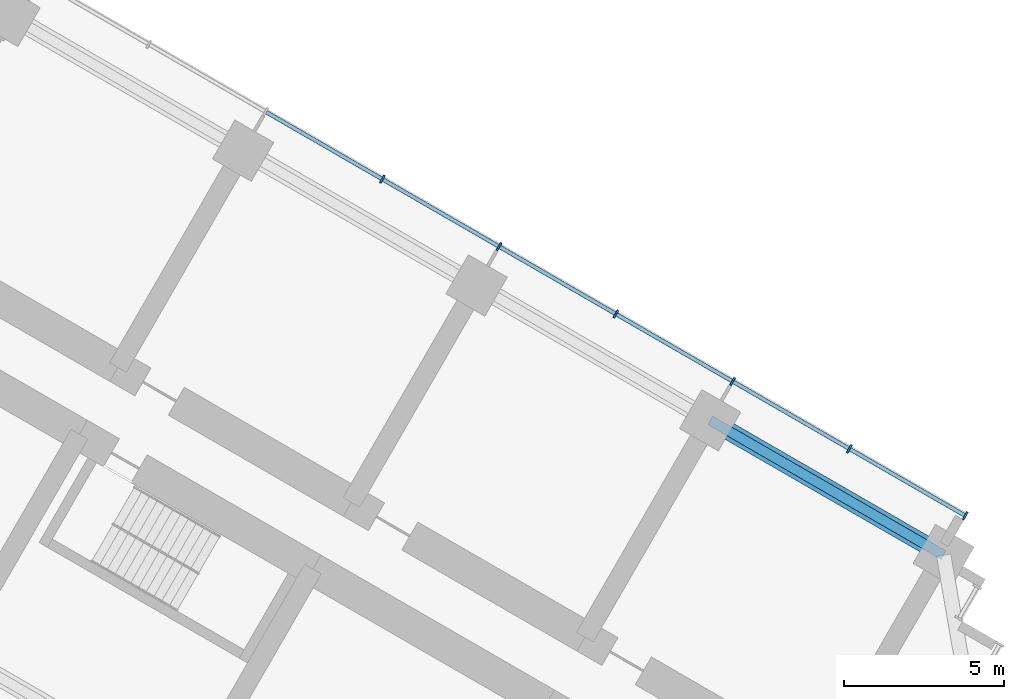
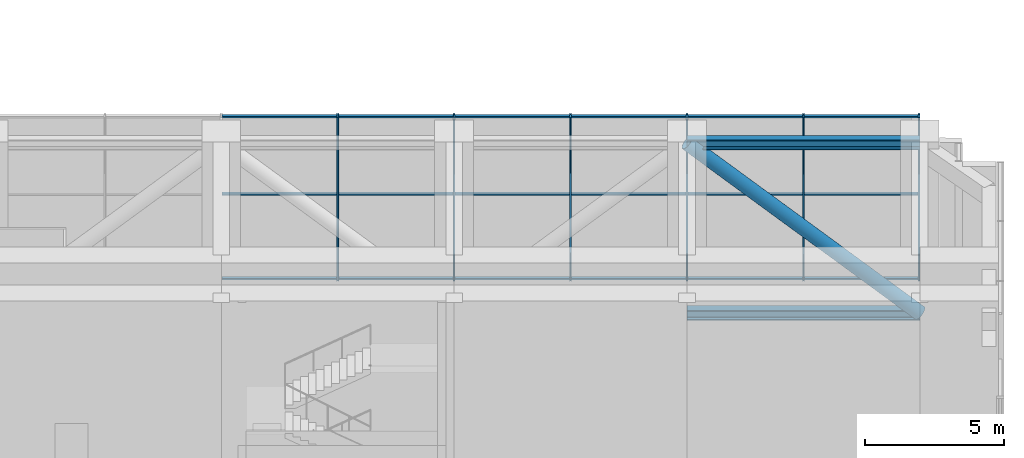
# One storey, part 8 of 19: 27 members, 1 element without a shape of its own.
"""IFC4 building model written with IfcOpenShell, lengths in metres."""

from ifc_helpers import new_model, si_unit, direction, frame, origin, origin_2d, place, context, subcontext, project, spatial, rectangle, hollow_circle, i_section, extrude, material, material_profile, profile_set, type_object, element, aggregate, save


model = new_model("IFC4")

# Units and contexts
model_context = context("Model", 3, precision=1e-05, world=origin(), true_north=direction((0.0, 1.0)))
body_context = subcontext(model_context, "Body", "Model", "MODEL_VIEW")
ifc_project = project(units=[si_unit("LENGTHUNIT", "METRE"), si_unit("AREAUNIT", "SQUARE_METRE"), si_unit("VOLUMEUNIT", "CUBIC_METRE"), si_unit("PLANEANGLEUNIT", "RADIAN"), si_unit("MASSUNIT", "GRAM", prefix="KILO")], contexts=[model_context])

# Site, building, storey
site_placement = place(None, origin())
site = spatial("IfcSite", under=ifc_project, at=site_placement, CompositionType="ELEMENT")
building_placement = place(site_placement, origin())
building = spatial("IfcBuilding", under=site, at=building_placement, Name="Impinga Residences", CompositionType="ELEMENT")
storey_placement = place(building_placement, frame((0.0, 0.0, 93.5)))
storey = spatial("IfcBuildingStorey", under=building, at=storey_placement, Name="L23", CompositionType="ELEMENT", Elevation=93.5)

# Members
ifc_material_1 = material(Name="Steel S355", Category="steel")
ifc_material_profile_1 = material_profile(ifc_material_1, i_section(OverallWidth=0.306884765625, OverallDepth=0.431884765625, WebThickness=0.02099609375, FlangeThickness=0.0400390625, FilletRadius=0.027099609375, at=origin_2d()), Name="HE 400 M")
ifc_profile_set_1 = profile_set([ifc_material_profile_1], Name="Steel S355")
member_type_1 = type_object("IfcMemberType", Name="BT1 HE 400 M belt truss chord", PredefinedType="CHORD", material=ifc_profile_set_1)
for number, where, z_axis, x_axis, name in (
    (1, (36.223876953125, -10.521484375, -0.51611328125), (0.86602925447, -0.499993330357, 0.0), (0.499993330357, 0.86602925447, 0.0), "Belt truss chord BT1 EA E4-E5 L23"),
    (2, (36.223876953125, -10.521484375, 6.98388671875), (0.86602925447, -0.499993330357, 0.0), (0.499993330357, 0.86602925447, 0.0), "Belt truss chord BT1 EA E4-E5 L23"),
):
    element("IfcMember", number, at=place(storey_placement, frame(where, z_axis=z_axis, x_axis=x_axis)), inside=storey, type_object=member_type_1, Name=name, PredefinedType="CHORD", context=body_context, shape_type="SweptSolid", body=[
        extrude(i_section(OverallWidth=0.306884765625, OverallDepth=0.431884765625, WebThickness=0.02099609375, FlangeThickness=0.0400390625, FilletRadius=0.027099609375, at=origin_2d()), origin(), (0.0, 0.0, 1.0), 8.39990234375),
    ])
ifc_material_2 = material(Name="Steel S355J2H", Category="steel")
ifc_material_profile_2 = material_profile(ifc_material_2, hollow_circle(Radius=0.279541015625, WallThickness=0.02001953125, at=origin_2d()), Name="CHS 559x20")
ifc_profile_set_2 = profile_set([ifc_material_profile_2], Name="Steel S355J2H")
member_type_2 = type_object("IfcMemberType", Name="BT2 CHS 559x20 belt truss diagonal at L23", PredefinedType="BRACE", material=ifc_profile_set_2)
member_1_placement = place(storey_placement, frame((36.223876953125, -10.521484375, 6.98388671875), z_axis=(0.646004328005, -0.372964139164, -0.666015134285), x_axis=(0.499993330357, 0.86602925447, 0.0)))
element("IfcMember", 3, at=member_1_placement, inside=storey, type_object=member_type_2, Name="Belt truss diagonal BT2 EA E4-E5 L23", PredefinedType="BRACE", context=body_context, shape_type="SweptSolid", body=[
    extrude(hollow_circle(Radius=0.279541015625, WallThickness=0.02001953125, at=origin_2d()), origin(), (0.0, 0.0, 1.0), 11.260986328125),
])

# Curtain wall, members
ifc_material_3 = material(Name="Aluminium stick curtain wall", Category="aluminium")
curtain_wall_type = type_object("IfcCurtainWallType", Name="CW4 plant floor louvred curtain wall", PredefinedType="USERDEFINED", material=ifc_material_3)
curtain_wall_placement = place(storey_placement, origin())
curtain_wall = element("IfcCurtainWall", 4, at=curtain_wall_placement, inside=storey, type_object=curtain_wall_type, Name="Curtain wall CW4 L23", ObjectType="STICK CURTAIN WALL", PredefinedType="USERDEFINED")
ifc_material_4 = material(Name="Aluminium mullion", Category="aluminium")
ifc_material_profile_3 = material_profile(ifc_material_4, rectangle(XDim=0.06005859375, YDim=0.27490234375, at=origin_2d()), Name="60x275 mullion")
ifc_profile_set_3 = profile_set([ifc_material_profile_3], Name="Aluminium mullion")
member_type_3 = type_object("IfcMemberType", Name="CW4-M mullion 60x275", PredefinedType="MULLION", material=ifc_profile_set_3)
member_2_placement = place(storey_placement, frame((26.011962890625, -3.009033203125, 0.0), z_axis=(0.0, 0.0, 1.0), x_axis=(0.866025407005, -0.499999994423, 0.0)))
member_2 = element("IfcMember", 5, at=member_2_placement, type_object=member_type_3, Name="CW4 mullion 4", PredefinedType="MULLION", context=body_context, shape_type="SweptSolid", body=[
    extrude(rectangle(XDim=0.06005859375, YDim=0.27490234375, at=origin_2d()), origin(), (0.0, 0.0, 1.0), 7.199951171875),
])
member_3_placement = place(storey_placement, frame((29.649169921875, -5.109130859375, 0.0), z_axis=(0.0, 0.0, 1.0), x_axis=(0.866025407005, -0.499999994423, 0.0)))
member_3 = element("IfcMember", 6, at=member_3_placement, type_object=member_type_3, Name="CW4 mullion 5", PredefinedType="MULLION", context=body_context, shape_type="SweptSolid", body=[
    extrude(rectangle(XDim=0.06005859375, YDim=0.27490234375, at=origin_2d()), origin(), (0.0, 0.0, 1.0), 7.199951171875),
])
member_4_placement = place(storey_placement, frame((33.28662109375, -7.208984375, 0.0), z_axis=(0.0, 0.0, 1.0), x_axis=(0.866025407005, -0.499999994423, 0.0)))
member_4 = element("IfcMember", 7, at=member_4_placement, type_object=member_type_3, Name="CW4 mullion 6", PredefinedType="MULLION", context=body_context, shape_type="SweptSolid", body=[
    extrude(rectangle(XDim=0.06005859375, YDim=0.27490234375, at=origin_2d()), origin(), (0.0, 0.0, 1.0), 7.199951171875),
])
member_5_placement = place(storey_placement, frame((36.923828125, -9.30908203125, 0.0), z_axis=(0.0, 0.0, 1.0), x_axis=(0.866025407005, -0.499999994423, 0.0)))
member_5 = element("IfcMember", 8, at=member_5_placement, type_object=member_type_3, Name="CW4 mullion 7", PredefinedType="MULLION", context=body_context, shape_type="SweptSolid", body=[
    extrude(rectangle(XDim=0.06005859375, YDim=0.27490234375, at=origin_2d()), origin(), (0.0, 0.0, 1.0), 7.199951171875),
])
member_6_placement = place(storey_placement, frame((40.56103515625, -11.4091796875, 0.0), z_axis=(0.0, 0.0, 1.0), x_axis=(0.866025407005, -0.499999994423, 0.0)))
member_6 = element("IfcMember", 9, at=member_6_placement, type_object=member_type_3, Name="CW4 mullion 8", PredefinedType="MULLION", context=body_context, shape_type="SweptSolid", body=[
    extrude(rectangle(XDim=0.06005859375, YDim=0.27490234375, at=origin_2d()), origin(), (0.0, 0.0, 1.0), 7.199951171875),
])
member_7_placement = place(storey_placement, frame((44.17236328125, -13.494140625, 0.0), z_axis=(0.0, 0.0, 1.0), x_axis=(0.866025407005, -0.499999994423, 0.0)))
member_7 = element("IfcMember", 10, at=member_7_placement, type_object=member_type_3, Name="CW4 mullion 9", PredefinedType="MULLION", context=body_context, shape_type="SweptSolid", body=[
    extrude(rectangle(XDim=0.06005859375, YDim=0.27490234375, at=origin_2d()), origin(), (0.0, 0.0, 1.0), 7.199951171875),
])
ifc_material_5 = material(Name="Aluminium transom", Category="aluminium")
ifc_material_profile_4 = material_profile(ifc_material_5, rectangle(XDim=0.06005859375, YDim=0.1201171875, at=origin_2d()), Name="60x120 transom")
ifc_profile_set_4 = profile_set([ifc_material_profile_4], Name="Aluminium transom")
member_type_4 = type_object("IfcMemberType", Name="CW4-T transom 60x120", PredefinedType="USERDEFINED", material=ifc_profile_set_4)
member_8_placement = place(storey_placement, frame((22.400634765625, -0.924072265625, 0.030029296875), z_axis=(0.866009793405, -0.500027036996, 0.0), x_axis=(0.0, 0.0, 1.0)))
member_8 = element("IfcMember", 11, at=member_8_placement, type_object=member_type_4, Name="CW4 transom 3.1", ObjectType="TRANSOM", PredefinedType="USERDEFINED", context=body_context, shape_type="SweptSolid", body=[
    extrude(rectangle(XDim=0.06005859375, YDim=0.1201171875, at=origin_2d()), origin(), (0.0, 0.0, 1.0), 4.139892578125),
])
member_9_placement = place(storey_placement, frame((22.400634765625, -0.924072265625, 3.75), z_axis=(0.866009793405, -0.500027036996, 0.0), x_axis=(0.0, 0.0, 1.0)))
member_9 = element("IfcMember", 12, at=member_9_placement, type_object=member_type_4, Name="CW4 transom 3.2", ObjectType="TRANSOM", PredefinedType="USERDEFINED", context=body_context, shape_type="SweptSolid", body=[
    extrude(rectangle(XDim=0.06005859375, YDim=0.1201171875, at=origin_2d()), origin(), (0.0, 0.0, 1.0), 4.139892578125),
])
member_10_placement = place(storey_placement, frame((22.400634765625, -0.924072265625, 7.169921875), z_axis=(0.866009793405, -0.500027036996, 0.0), x_axis=(0.0, 0.0, 1.0)))
member_10 = element("IfcMember", 13, at=member_10_placement, type_object=member_type_4, Name="CW4 transom 3.3", ObjectType="TRANSOM", PredefinedType="USERDEFINED", context=body_context, shape_type="SweptSolid", body=[
    extrude(rectangle(XDim=0.06005859375, YDim=0.1201171875, at=origin_2d()), origin(), (0.0, 0.0, 1.0), 4.139892578125),
])
member_11_placement = place(storey_placement, frame((26.037841796875, -3.024169921875, 0.030029296875), z_axis=(0.866050071143, -0.499957272447, 0.0), x_axis=(0.0, 0.0, 1.0)))
member_11 = element("IfcMember", 14, at=member_11_placement, type_object=member_type_4, Name="CW4 transom 4.1", ObjectType="TRANSOM", PredefinedType="USERDEFINED", context=body_context, shape_type="SweptSolid", body=[
    extrude(rectangle(XDim=0.06005859375, YDim=0.1201171875, at=origin_2d()), origin(), (0.0, 0.0, 1.0), 4.139892578125),
])
member_12_placement = place(storey_placement, frame((26.037841796875, -3.024169921875, 3.75), z_axis=(0.866050071143, -0.499957272447, 0.0), x_axis=(0.0, 0.0, 1.0)))
member_12 = element("IfcMember", 15, at=member_12_placement, type_object=member_type_4, Name="CW4 transom 4.2", ObjectType="TRANSOM", PredefinedType="USERDEFINED", context=body_context, shape_type="SweptSolid", body=[
    extrude(rectangle(XDim=0.06005859375, YDim=0.1201171875, at=origin_2d()), origin(), (0.0, 0.0, 1.0), 4.139892578125),
])
member_13_placement = place(storey_placement, frame((26.037841796875, -3.024169921875, 7.169921875), z_axis=(0.866050071143, -0.499957272447, 0.0), x_axis=(0.0, 0.0, 1.0)))
member_13 = element("IfcMember", 16, at=member_13_placement, type_object=member_type_4, Name="CW4 transom 4.3", ObjectType="TRANSOM", PredefinedType="USERDEFINED", context=body_context, shape_type="SweptSolid", body=[
    extrude(rectangle(XDim=0.06005859375, YDim=0.1201171875, at=origin_2d()), origin(), (0.0, 0.0, 1.0), 4.139892578125),
])
member_14_placement = place(storey_placement, frame((29.67529296875, -5.1240234375, 0.030029296875), z_axis=(0.866009793405, -0.500027036996, 0.0), x_axis=(0.0, 0.0, 1.0)))
member_14 = element("IfcMember", 17, at=member_14_placement, type_object=member_type_4, Name="CW4 transom 5.1", ObjectType="TRANSOM", PredefinedType="USERDEFINED", context=body_context, shape_type="SweptSolid", body=[
    extrude(rectangle(XDim=0.06005859375, YDim=0.1201171875, at=origin_2d()), origin(), (0.0, 0.0, 1.0), 4.139892578125),
])
member_15_placement = place(storey_placement, frame((29.67529296875, -5.1240234375, 3.75), z_axis=(0.866009793405, -0.500027036996, 0.0), x_axis=(0.0, 0.0, 1.0)))
member_15 = element("IfcMember", 18, at=member_15_placement, type_object=member_type_4, Name="CW4 transom 5.2", ObjectType="TRANSOM", PredefinedType="USERDEFINED", context=body_context, shape_type="SweptSolid", body=[
    extrude(rectangle(XDim=0.06005859375, YDim=0.1201171875, at=origin_2d()), origin(), (0.0, 0.0, 1.0), 4.139892578125),
])
member_16_placement = place(storey_placement, frame((29.67529296875, -5.1240234375, 7.169921875), z_axis=(0.866009793405, -0.500027036996, 0.0), x_axis=(0.0, 0.0, 1.0)))
member_16 = element("IfcMember", 19, at=member_16_placement, type_object=member_type_4, Name="CW4 transom 5.3", ObjectType="TRANSOM", PredefinedType="USERDEFINED", context=body_context, shape_type="SweptSolid", body=[
    extrude(rectangle(XDim=0.06005859375, YDim=0.1201171875, at=origin_2d()), origin(), (0.0, 0.0, 1.0), 4.139892578125),
])
member_17_placement = place(storey_placement, frame((33.3125, -7.22412109375, 0.030029296875), z_axis=(0.866024536972, -0.500001501361, 0.0), x_axis=(0.0, 0.0, 1.0)))
member_17 = element("IfcMember", 20, at=member_17_placement, type_object=member_type_4, Name="CW4 transom 6.1", ObjectType="TRANSOM", PredefinedType="USERDEFINED", context=body_context, shape_type="SweptSolid", body=[
    extrude(rectangle(XDim=0.06005859375, YDim=0.1201171875, at=origin_2d()), origin(), (0.0, 0.0, 1.0), 4.14013671875),
])
member_18_placement = place(storey_placement, frame((33.3125, -7.22412109375, 3.75), z_axis=(0.866024536972, -0.500001501361, 0.0), x_axis=(0.0, 0.0, 1.0)))
member_18 = element("IfcMember", 21, at=member_18_placement, type_object=member_type_4, Name="CW4 transom 6.2", ObjectType="TRANSOM", PredefinedType="USERDEFINED", context=body_context, shape_type="SweptSolid", body=[
    extrude(rectangle(XDim=0.06005859375, YDim=0.1201171875, at=origin_2d()), origin(), (0.0, 0.0, 1.0), 4.14013671875),
])
member_19_placement = place(storey_placement, frame((33.3125, -7.22412109375, 7.169921875), z_axis=(0.866024536972, -0.500001501361, 0.0), x_axis=(0.0, 0.0, 1.0)))
member_19 = element("IfcMember", 22, at=member_19_placement, type_object=member_type_4, Name="CW4 transom 6.3", ObjectType="TRANSOM", PredefinedType="USERDEFINED", context=body_context, shape_type="SweptSolid", body=[
    extrude(rectangle(XDim=0.06005859375, YDim=0.1201171875, at=origin_2d()), origin(), (0.0, 0.0, 1.0), 4.14013671875),
])
member_20_placement = place(storey_placement, frame((36.94970703125, -9.32421875, 0.030029296875), z_axis=(0.866050071143, -0.499957272447, 0.0), x_axis=(0.0, 0.0, 1.0)))
member_20 = element("IfcMember", 23, at=member_20_placement, type_object=member_type_4, Name="CW4 transom 7.1", ObjectType="TRANSOM", PredefinedType="USERDEFINED", context=body_context, shape_type="SweptSolid", body=[
    extrude(rectangle(XDim=0.06005859375, YDim=0.1201171875, at=origin_2d()), origin(), (0.0, 0.0, 1.0), 4.139892578125),
])
member_21_placement = place(storey_placement, frame((36.94970703125, -9.32421875, 3.75), z_axis=(0.866050071143, -0.499957272447, 0.0), x_axis=(0.0, 0.0, 1.0)))
member_21 = element("IfcMember", 24, at=member_21_placement, type_object=member_type_4, Name="CW4 transom 7.2", ObjectType="TRANSOM", PredefinedType="USERDEFINED", context=body_context, shape_type="SweptSolid", body=[
    extrude(rectangle(XDim=0.06005859375, YDim=0.1201171875, at=origin_2d()), origin(), (0.0, 0.0, 1.0), 4.139892578125),
])
member_22_placement = place(storey_placement, frame((36.94970703125, -9.32421875, 7.169921875), z_axis=(0.866050071143, -0.499957272447, 0.0), x_axis=(0.0, 0.0, 1.0)))
member_22 = element("IfcMember", 25, at=member_22_placement, type_object=member_type_4, Name="CW4 transom 7.3", ObjectType="TRANSOM", PredefinedType="USERDEFINED", context=body_context, shape_type="SweptSolid", body=[
    extrude(rectangle(XDim=0.06005859375, YDim=0.1201171875, at=origin_2d()), origin(), (0.0, 0.0, 1.0), 4.139892578125),
])
member_23_placement = place(storey_placement, frame((40.587158203125, -11.424072265625, 0.030029296875), z_axis=(0.866030279993, -0.499991554064, 0.0), x_axis=(0.0, 0.0, 1.0)))
member_23 = element("IfcMember", 26, at=member_23_placement, type_object=member_type_4, Name="CW4 transom 8.1", ObjectType="TRANSOM", PredefinedType="USERDEFINED", context=body_context, shape_type="SweptSolid", body=[
    extrude(rectangle(XDim=0.06005859375, YDim=0.1201171875, at=origin_2d()), origin(), (0.0, 0.0, 1.0), 4.10986328125),
])
member_24_placement = place(storey_placement, frame((40.587158203125, -11.424072265625, 3.75), z_axis=(0.866030279993, -0.499991554064, 0.0), x_axis=(0.0, 0.0, 1.0)))
member_24 = element("IfcMember", 27, at=member_24_placement, type_object=member_type_4, Name="CW4 transom 8.2", ObjectType="TRANSOM", PredefinedType="USERDEFINED", context=body_context, shape_type="SweptSolid", body=[
    extrude(rectangle(XDim=0.06005859375, YDim=0.1201171875, at=origin_2d()), origin(), (0.0, 0.0, 1.0), 4.10986328125),
])
member_25_placement = place(storey_placement, frame((40.587158203125, -11.424072265625, 7.169921875), z_axis=(0.866030279993, -0.499991554064, 0.0), x_axis=(0.0, 0.0, 1.0)))
member_25 = element("IfcMember", 28, at=member_25_placement, type_object=member_type_4, Name="CW4 transom 8.3", ObjectType="TRANSOM", PredefinedType="USERDEFINED", context=body_context, shape_type="SweptSolid", body=[
    extrude(rectangle(XDim=0.06005859375, YDim=0.1201171875, at=origin_2d()), origin(), (0.0, 0.0, 1.0), 4.10986328125),
])
aggregate(curtain_wall, [member_2, member_3, member_4, member_5, member_6, member_7, member_8, member_9, member_10, member_11, member_12, member_13, member_14, member_15, member_16, member_17, member_18, member_19, member_20, member_21, member_22, member_23, member_24, member_25])

save(model, "model.ifc")
